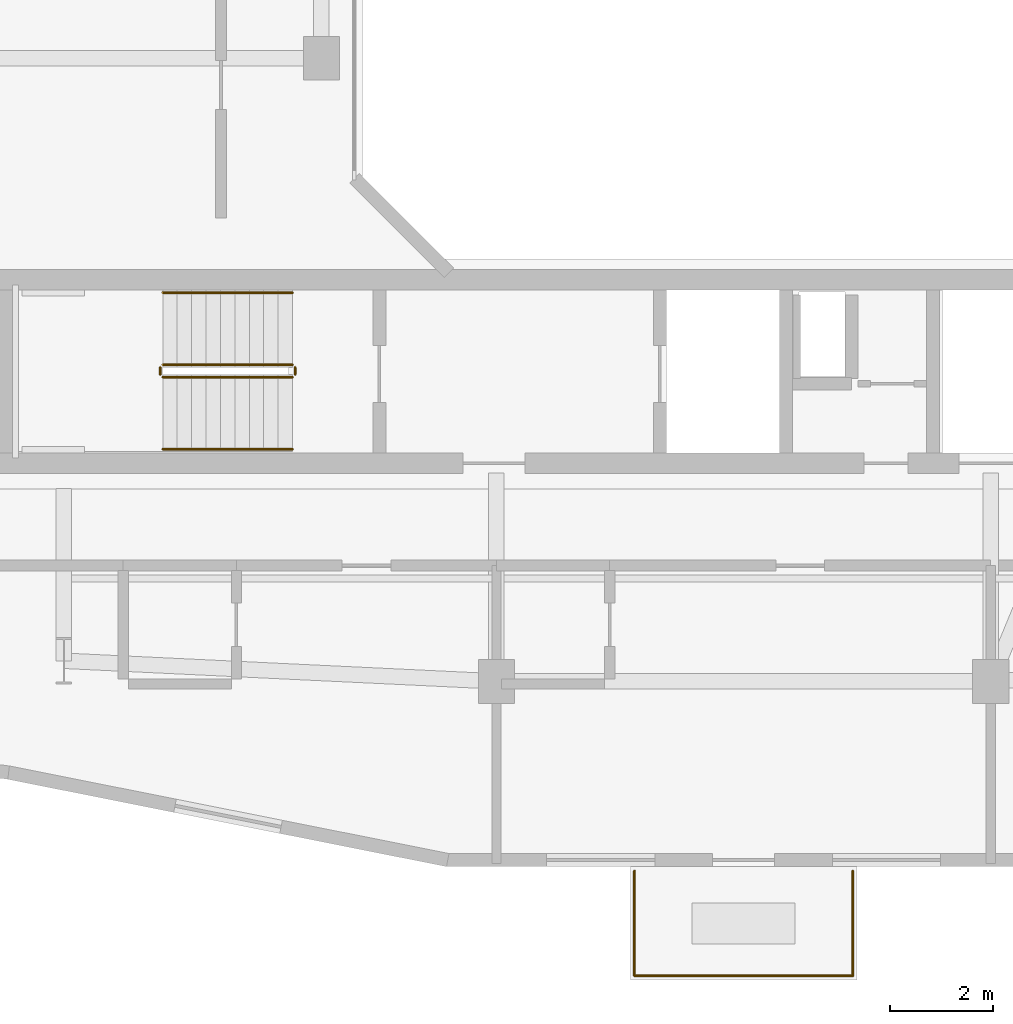
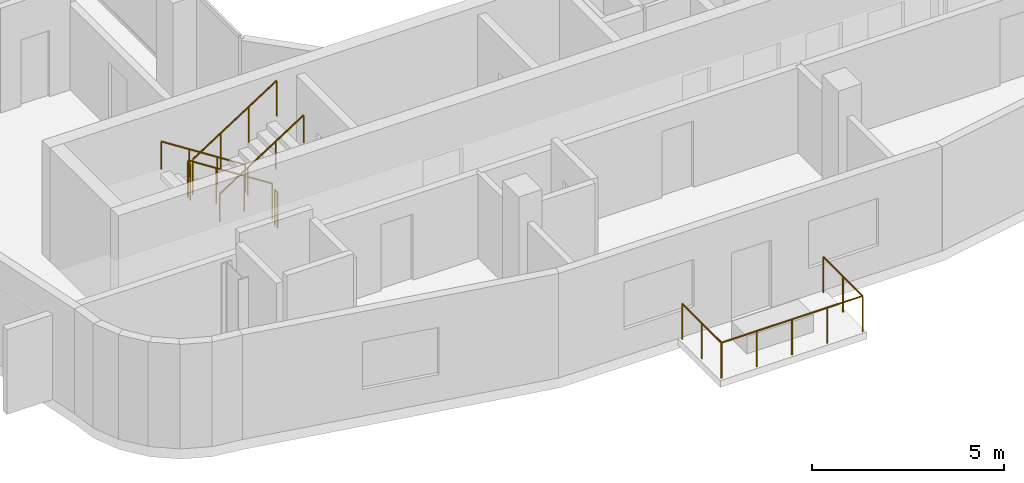
# One storey, part 10 of 13: 9 railings.
"""IFC4 building model written with IfcOpenShell, lengths in metres."""

from ifc_helpers import new_model, si_unit, derived_unit, direction, frame, origin, origin_2d, place, context, subcontext, project, spatial, circle, extrude, material, type_object, element, save


model = new_model("IFC4")

# Units and contexts
model_context = context("Model", 3, precision=1e-05, world=origin(), true_north=direction((0.0, 1.0)))
body_context = subcontext(model_context, "Body", "Model", "MODEL_VIEW")
ifc_project = project(units=[si_unit("LENGTHUNIT", "METRE"), si_unit("AREAUNIT", "SQUARE_METRE"), si_unit("VOLUMEUNIT", "CUBIC_METRE"), si_unit("PLANEANGLEUNIT", "RADIAN"), si_unit("MASSUNIT", "GRAM", prefix="KILO"), derived_unit("THERMALTRANSMITTANCEUNIT", [(si_unit("POWERUNIT", "WATT"), 1), (si_unit("LENGTHUNIT", "METRE"), -2), (si_unit("THERMODYNAMICTEMPERATUREUNIT", "KELVIN"), -1)])], contexts=[model_context])

# Site, building, storey
site_placement = place(None, origin())
site = spatial("IfcSite", under=ifc_project, at=site_placement, CompositionType="ELEMENT")
building_placement = place(site_placement, origin())
building = spatial("IfcBuilding", under=site, at=building_placement, Name="Kivonza Crest Hotel", CompositionType="ELEMENT")
storey_placement = place(building_placement, frame((0.0, 0.0, 199.10009765625)))
storey = spatial("IfcBuildingStorey", under=building, at=storey_placement, Name="L54", CompositionType="ELEMENT", Elevation=199.10009765625)

# Railings
ifc_material_1 = material(Name="Brushed stainless steel handrail", Category="steel")
railing_type_1 = type_object("IfcRailingType", Name="RL-HAND-900", PredefinedType="HANDRAIL", material=ifc_material_1)
railing_1_placement = place(storey_placement, frame((12.239990234375, 16.949951171875, 0.179931640625)))
element("IfcRailing", 1, at=railing_1_placement, inside=storey, type_object=railing_type_1, Name="L54 ST-T1-S stair handrail 1", PredefinedType="HANDRAIL", context=body_context, shape_type="SweptSolid", body=[
    extrude(circle(Radius=0.02392578125, at=origin_2d()), frame((0.0, 0.0, 0.8759765625), z_axis=(-0.841199657755, 0.0, 0.540724639528), x_axis=(0.0, -1.0, 0.0)), (0.0, 0.0, 1.0), 2.995849609375),
    extrude(circle(Radius=0.02099609375, at=origin_2d()), origin(), (0.0, 0.0, 1.0), 0.851806640625),
    extrude(circle(Radius=0.02099609375, at=origin_2d()), frame((-0.840087890625, 0.0, 0.5400390625)), (0.0, 0.0, 1.0), 0.851806640625),
    extrude(circle(Radius=0.02099609375, at=origin_2d()), frame((-1.679931640625, 0.0, 1.079833984375)), (0.0, 0.0, 1.0), 0.851806640625),
    extrude(circle(Radius=0.02099609375, at=origin_2d()), frame((-2.52001953125, 0.0, 1.619873046875)), (0.0, 0.0, 1.0), 0.851806640625),
])
railing_2_placement = place(storey_placement, frame((9.719970703125, 13.909912109375, 1.97998046875)))
element("IfcRailing", 2, at=railing_2_placement, inside=storey, type_object=railing_type_1, Name="L54 ST-T1-S stair handrail 2", PredefinedType="HANDRAIL", context=body_context, shape_type="SweptSolid", body=[
    extrude(circle(Radius=0.02392578125, at=origin_2d()), frame((0.0, 0.0, 0.8759765625), z_axis=(0.841199657755, 0.0, 0.540724639528), x_axis=(0.0, 1.0, 0.0)), (0.0, 0.0, 1.0), 2.995849609375),
    extrude(circle(Radius=0.02099609375, at=origin_2d()), origin(), (0.0, 0.0, 1.0), 0.851806640625),
    extrude(circle(Radius=0.02099609375, at=origin_2d()), frame((0.840087890625, 0.0, 0.5400390625)), (0.0, 0.0, 1.0), 0.851806640625),
    extrude(circle(Radius=0.02099609375, at=origin_2d()), frame((1.679931640625, 0.0, 1.079833984375)), (0.0, 0.0, 1.0), 0.851806640625),
    extrude(circle(Radius=0.02099609375, at=origin_2d()), frame((2.52001953125, 0.0, 1.619873046875)), (0.0, 0.0, 1.0), 0.851806640625),
])
ifc_material_2 = material(Name="Painted steel balustrade", Category="steel")
railing_type_2 = type_object("IfcRailingType", Name="RL-STAIR-1150", PredefinedType="BALUSTRADE", material=ifc_material_2)
railing_3_placement = place(storey_placement, frame((12.239990234375, 15.550048828125, 0.179931640625)))
element("IfcRailing", 3, at=railing_3_placement, inside=storey, type_object=railing_type_2, Name="L54 ST-T1-S stair guard 1", PredefinedType="BALUSTRADE", context=body_context, shape_type="SweptSolid", body=[
    extrude(circle(Radius=0.02392578125, at=origin_2d()), frame((0.0, 0.0, 1.1259765625), z_axis=(-0.841199657755, 0.0, 0.540724639528), x_axis=(0.0, -1.0, 0.0)), (0.0, 0.0, 1.0), 2.995849609375),
    extrude(circle(Radius=0.02099609375, at=origin_2d()), origin(), (0.0, 0.0, 1.0), 1.101806640625),
    extrude(circle(Radius=0.02099609375, at=origin_2d()), frame((-0.840087890625, 0.0, 0.5400390625)), (0.0, 0.0, 1.0), 1.101806640625),
    extrude(circle(Radius=0.02099609375, at=origin_2d()), frame((-1.679931640625, 0.0, 1.079833984375)), (0.0, 0.0, 1.0), 1.101806640625),
    extrude(circle(Radius=0.02099609375, at=origin_2d()), frame((-2.52001953125, 0.0, 1.619873046875)), (0.0, 0.0, 1.0), 1.101806640625),
])
railing_4_placement = place(storey_placement, frame((9.669921875, 15.5, 1.7998046875)))
element("IfcRailing", 4, at=railing_4_placement, inside=storey, type_object=railing_type_2, Name="L54 ST-T1-S stair guard 2", PredefinedType="BALUSTRADE", context=body_context, shape_type="SweptSolid", body=[
    extrude(circle(Radius=0.02392578125, at=origin_2d()), frame((0.0, 0.0, 1.1259765625), z_axis=(0.0, -1.0, 0.0), x_axis=(1.0, 0.0, 0.0)), (0.0, 0.0, 1.0), 0.139892578125),
    extrude(circle(Radius=0.02099609375, at=origin_2d()), origin(), (0.0, 0.0, 1.0), 1.101806640625),
    extrude(circle(Radius=0.02099609375, at=origin_2d()), frame((0.0, -0.139892578125, 0.0)), (0.0, 0.0, 1.0), 1.101806640625),
])
railing_5_placement = place(storey_placement, frame((9.719970703125, 15.31005859375, 1.97998046875)))
element("IfcRailing", 5, at=railing_5_placement, inside=storey, type_object=railing_type_2, Name="L54 ST-T1-S stair guard 3", PredefinedType="BALUSTRADE", context=body_context, shape_type="SweptSolid", body=[
    extrude(circle(Radius=0.02392578125, at=origin_2d()), frame((0.0, 0.0, 1.1259765625), z_axis=(0.841199657755, 0.0, 0.540724639528), x_axis=(0.0, 1.0, 0.0)), (0.0, 0.0, 1.0), 2.995849609375),
    extrude(circle(Radius=0.02099609375, at=origin_2d()), origin(), (0.0, 0.0, 1.0), 1.101806640625),
    extrude(circle(Radius=0.02099609375, at=origin_2d()), frame((0.840087890625, 0.0, 0.5400390625)), (0.0, 0.0, 1.0), 1.101806640625),
    extrude(circle(Radius=0.02099609375, at=origin_2d()), frame((1.679931640625, 0.0, 1.079833984375)), (0.0, 0.0, 1.0), 1.101806640625),
    extrude(circle(Radius=0.02099609375, at=origin_2d()), frame((2.52001953125, 0.0, 1.619873046875)), (0.0, 0.0, 1.0), 1.101806640625),
])
railing_6_placement = place(storey_placement, frame((12.2900390625, 15.5, 0.0)))
element("IfcRailing", 6, at=railing_6_placement, inside=storey, type_object=railing_type_2, Name="L54 ST-T1-S stair guard 4", PredefinedType="BALUSTRADE", context=body_context, shape_type="SweptSolid", body=[
    extrude(circle(Radius=0.02392578125, at=origin_2d()), frame((0.0, 0.0, 1.1259765625), z_axis=(0.0, -1.0, 0.0), x_axis=(1.0, 0.0, 0.0)), (0.0, 0.0, 1.0), 0.139892578125),
    extrude(circle(Radius=0.02099609375, at=origin_2d()), origin(), (0.0, 0.0, 1.0), 1.101806640625),
    extrude(circle(Radius=0.02099609375, at=origin_2d()), frame((0.0, -0.139892578125, 0.0)), (0.0, 0.0, 1.0), 1.101806640625),
])
ifc_material_3 = material(Name="Laminated glass and stainless steel balustrade", Category="steel")
railing_type_3 = type_object("IfcRailingType", Name="RL-TERR-1150", PredefinedType="BALUSTRADE", material=ifc_material_3)
railing_7_placement = place(storey_placement, frame((18.8798828125, 3.679931640625, 0.0)))
element("IfcRailing", 7, at=railing_7_placement, inside=storey, type_object=railing_type_3, Name="L54 T1-L54-SG-SW perimeter safety balustrade 1", PredefinedType="BALUSTRADE", context=body_context, shape_type="SweptSolid", body=[
    extrude(circle(Radius=0.02392578125, at=origin_2d()), frame((0.0, 0.0, 1.1259765625), z_axis=(0.0, 1.0, 0.0), x_axis=(-1.0, 0.0, 0.0)), (0.0, 0.0, 1.0), 2.0400390625),
    extrude(circle(Radius=0.02099609375, at=origin_2d()), origin(), (0.0, 0.0, 1.0), 1.101806640625),
    extrude(circle(Radius=0.02099609375, at=origin_2d()), frame((0.0, 1.02001953125, 0.0)), (0.0, 0.0, 1.0), 1.101806640625),
    extrude(circle(Radius=0.02099609375, at=origin_2d()), frame((0.0, 2.0400390625, 0.0)), (0.0, 0.0, 1.0), 1.101806640625),
])
railing_8_placement = place(storey_placement, frame((23.1201171875, 5.719970703125, 0.0)))
element("IfcRailing", 8, at=railing_8_placement, inside=storey, type_object=railing_type_3, Name="L54 T1-L54-SG-SW perimeter safety balustrade 2", PredefinedType="BALUSTRADE", context=body_context, shape_type="SweptSolid", body=[
    extrude(circle(Radius=0.02392578125, at=origin_2d()), frame((0.0, 0.0, 1.1259765625), z_axis=(0.0, -1.0, 0.0), x_axis=(1.0, 0.0, 0.0)), (0.0, 0.0, 1.0), 2.0400390625),
    extrude(circle(Radius=0.02099609375, at=origin_2d()), origin(), (0.0, 0.0, 1.0), 1.101806640625),
    extrude(circle(Radius=0.02099609375, at=origin_2d()), frame((0.0, -1.02001953125, 0.0)), (0.0, 0.0, 1.0), 1.101806640625),
    extrude(circle(Radius=0.02099609375, at=origin_2d()), frame((0.0, -2.0400390625, 0.0)), (0.0, 0.0, 1.0), 1.101806640625),
])
railing_9_placement = place(storey_placement, frame((23.1201171875, 3.679931640625, 0.0)))
element("IfcRailing", 9, at=railing_9_placement, inside=storey, type_object=railing_type_3, Name="L54 T1-L54-SG-SW perimeter safety balustrade 3", PredefinedType="BALUSTRADE", context=body_context, shape_type="SweptSolid", body=[
    extrude(circle(Radius=0.02392578125, at=origin_2d()), frame((0.0, 0.0, 1.1259765625), z_axis=(-1.0, 0.0, 0.0), x_axis=(0.0, -1.0, 0.0)), (0.0, 0.0, 1.0), 4.240234375),
    extrude(circle(Radius=0.02099609375, at=origin_2d()), origin(), (0.0, 0.0, 1.0), 1.101806640625),
    extrude(circle(Radius=0.02099609375, at=origin_2d()), frame((-1.06005859375, 0.0, 0.0)), (0.0, 0.0, 1.0), 1.101806640625),
    extrude(circle(Radius=0.02099609375, at=origin_2d()), frame((-2.1201171875, 0.0, 0.0)), (0.0, 0.0, 1.0), 1.101806640625),
    extrude(circle(Radius=0.02099609375, at=origin_2d()), frame((-3.18017578125, 0.0, 0.0)), (0.0, 0.0, 1.0), 1.101806640625),
    extrude(circle(Radius=0.02099609375, at=origin_2d()), frame((-4.240234375, 0.0, 0.0)), (0.0, 0.0, 1.0), 1.101806640625),
])

save(model, "model.ifc")
